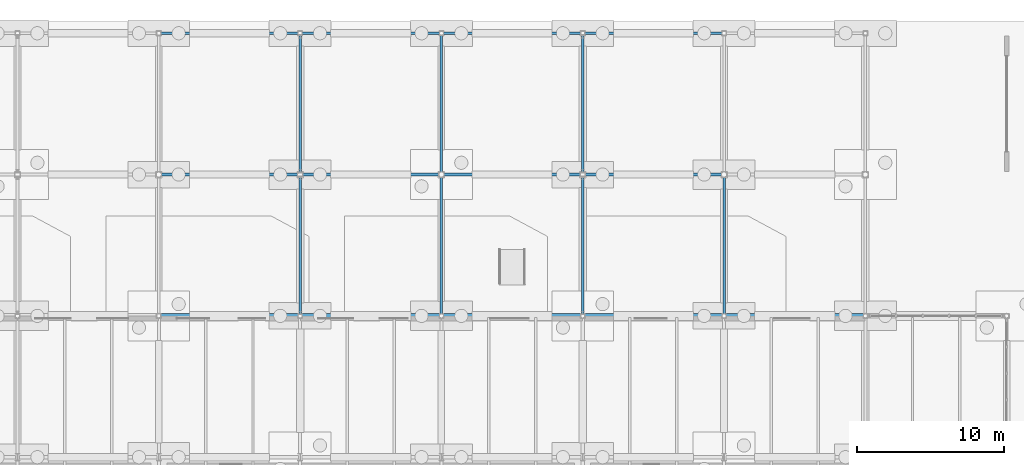
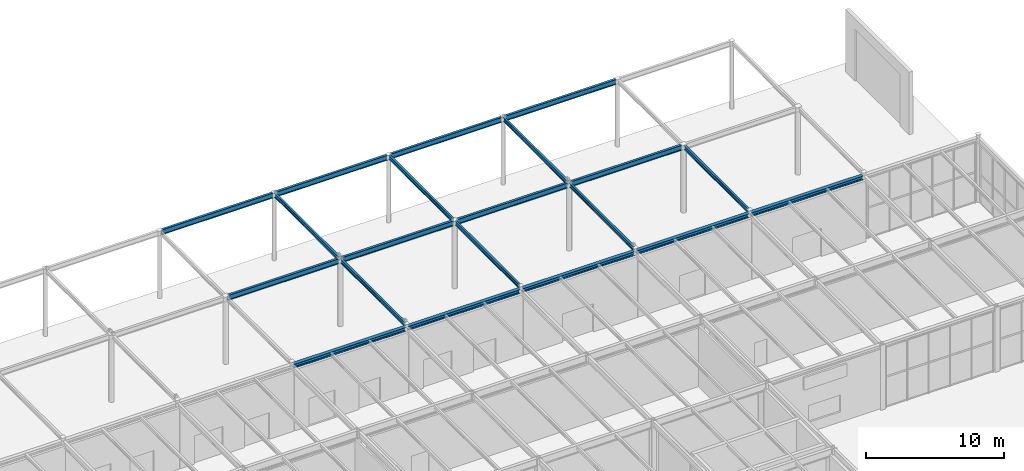
# One storey, part 99 of 142: 20 beams.
"""IFC4 building model written with IfcOpenShell, lengths in metres."""

from ifc_helpers import new_model, si_unit, direction, frame, origin, origin_2d, place, context, subcontext, project, spatial, i_section, extrude, material, material_profile, profile_set, type_object, element, save


model = new_model("IFC4")

# Units and contexts
model_context = context("Model", 3, precision=1e-05, world=origin(), true_north=direction((0.0, 1.0)))
body_context = subcontext(model_context, "Body", "Model", "MODEL_VIEW")
ifc_project = project(units=[si_unit("LENGTHUNIT", "METRE"), si_unit("AREAUNIT", "SQUARE_METRE"), si_unit("VOLUMEUNIT", "CUBIC_METRE"), si_unit("PLANEANGLEUNIT", "RADIAN"), si_unit("MASSUNIT", "GRAM", prefix="KILO")], contexts=[model_context])

# Site, building, storey
site_placement = place(None, origin())
site = spatial("IfcSite", under=ifc_project, at=site_placement, CompositionType="ELEMENT")
building_placement = place(site_placement, origin())
building = spatial("IfcBuilding", under=site, at=building_placement, Name="Coralgate Yard Interchange", CompositionType="ELEMENT")
storey_placement = place(building_placement, origin())
storey = spatial("IfcBuildingStorey", under=building, at=storey_placement, Name="L00", CompositionType="ELEMENT", Elevation=0.0)

# Beams
ifc_material = material(Name="Structural steel S355J2", Category="steel")
ifc_material_profile_1 = material_profile(ifc_material, i_section(OverallWidth=0.1904296875, OverallDepth=0.45703125, WebThickness=0.009033203125, FlangeThickness=0.014404296875, FilletRadius=0.01025390625, at=origin_2d()), Name="UB 457x191x74")
ifc_profile_set_1 = profile_set([ifc_material_profile_1], Name="Structural steel S355J2")
beam_type_1 = type_object("IfcBeamType", Name="BM-SB-2", PredefinedType="BEAM", material=ifc_profile_set_1)
beam_1_placement = place(storey_placement, frame((124.919921875, 105.60009765625, 5.771484375), z_axis=(1.0, 0.0, 0.0), x_axis=(0.0, 1.0, 0.0)))
element("IfcBeam", 1, at=beam_1_placement, inside=storey, type_object=beam_type_1, Name="Wave-canopy valley support girder Y11-X13", PredefinedType="BEAM", context=body_context, shape_type="SweptSolid", body=[
    extrude(i_section(OverallWidth=0.1904296875, OverallDepth=0.45703125, WebThickness=0.009033203125, FlangeThickness=0.014404296875, FilletRadius=0.01025390625, at=origin_2d()), origin(), (0.0, 0.0, 1.0), 9.360107421875),
])
for number, where, z_axis, x_axis, name in (
    (2, (134.52001953125, 105.60009765625, 5.771484375), (1.0, 0.0, 0.0), (0.0, 1.0, 0.0), "Wave-canopy valley support girder Y11-X14"),
    (3, (144.1201171875, 105.60009765625, 5.771484375), (1.0, 0.0, 0.0), (0.0, 1.0, 0.0), "Wave-canopy valley support girder Y11-X15"),
):
    element("IfcBeam", number, at=place(storey_placement, frame(where, z_axis=z_axis, x_axis=x_axis)), inside=storey, type_object=beam_type_1, Name=name, PredefinedType="BEAM", context=body_context, shape_type="SweptSolid", body=[
        extrude(i_section(OverallWidth=0.1904296875, OverallDepth=0.45703125, WebThickness=0.009033203125, FlangeThickness=0.014404296875, FilletRadius=0.01025390625, at=origin_2d()), origin(), (0.0, 0.0, 1.0), 9.35986328125),
    ])
for number, where, z_axis, x_axis, name in (
    (4, (153.719970703125, 105.60009765625, 5.771484375), (1.0, 0.0, 0.0), (0.0, 1.0, 0.0), "Wave-canopy valley support girder Y11-X16"),
    (5, (124.919921875, 115.199951171875, 5.771484375), (1.0, 0.0, 0.0), (0.0, 1.0, 0.0), "Wave-canopy valley support girder Y12-X13"),
):
    element("IfcBeam", number, at=place(storey_placement, frame(where, z_axis=z_axis, x_axis=x_axis)), inside=storey, type_object=beam_type_1, Name=name, PredefinedType="BEAM", context=body_context, shape_type="SweptSolid", body=[
        extrude(i_section(OverallWidth=0.1904296875, OverallDepth=0.45703125, WebThickness=0.009033203125, FlangeThickness=0.014404296875, FilletRadius=0.01025390625, at=origin_2d()), origin(), (0.0, 0.0, 1.0), 9.360107421875),
    ])
for number, where, z_axis, x_axis, name in (
    (6, (134.52001953125, 115.199951171875, 5.771484375), (1.0, 0.0, 0.0), (0.0, 1.0, 0.0), "Wave-canopy valley support girder Y12-X14"),
    (7, (144.1201171875, 115.199951171875, 5.771484375), (1.0, 0.0, 0.0), (0.0, 1.0, 0.0), "Wave-canopy valley support girder Y12-X15"),
):
    element("IfcBeam", number, at=place(storey_placement, frame(where, z_axis=z_axis, x_axis=x_axis)), inside=storey, type_object=beam_type_1, Name=name, PredefinedType="BEAM", context=body_context, shape_type="SweptSolid", body=[
        extrude(i_section(OverallWidth=0.1904296875, OverallDepth=0.45703125, WebThickness=0.009033203125, FlangeThickness=0.014404296875, FilletRadius=0.01025390625, at=origin_2d()), origin(), (0.0, 0.0, 1.0), 9.35986328125),
    ])
beam_2_placement = place(storey_placement, frame((153.719970703125, 115.199951171875, 5.771484375), z_axis=(1.0, 0.0, 0.0), x_axis=(0.0, 1.0, 0.0)))
element("IfcBeam", 8, at=beam_2_placement, inside=storey, type_object=beam_type_1, Name="Wave-canopy valley support girder Y12-X16", PredefinedType="BEAM", context=body_context, shape_type="SweptSolid", body=[
    extrude(i_section(OverallWidth=0.1904296875, OverallDepth=0.45703125, WebThickness=0.009033203125, FlangeThickness=0.014404296875, FilletRadius=0.01025390625, at=origin_2d()), origin(), (0.0, 0.0, 1.0), 9.360107421875),
])
ifc_material_profile_2 = material_profile(ifc_material, i_section(OverallWidth=0.17138671875, OverallDepth=0.35498046875, WebThickness=0.00732421875, FlangeThickness=0.011474609375, FilletRadius=0.01025390625, at=origin_2d()), Name="UB 356x171x51")
ifc_profile_set_2 = profile_set([ifc_material_profile_2], Name="Structural steel S355J2")
beam_type_2 = type_object("IfcBeamType", Name="BM-SB-4", PredefinedType="BEAM", material=ifc_profile_set_2)
for number, where, z_axis, x_axis, name in (
    (9, (134.39990234375, 96.139892578125, 5.822509765625), (0.0, 1.0, 0.0), (-1.0, 0.0, 0.0), "Wave-canopy transverse girder X14-Y10"),
    (10, (134.39990234375, 105.739990234375, 5.822509765625), (0.0, 1.0, 0.0), (-1.0, 0.0, 0.0), "Wave-canopy transverse girder X14-Y11"),
    (11, (144.0, 96.139892578125, 5.822509765625), (0.0, 1.0, 0.0), (-1.0, 0.0, 0.0), "Wave-canopy transverse girder X15-Y10"),
    (12, (144.0, 105.739990234375, 5.822509765625), (0.0, 1.0, 0.0), (-1.0, 0.0, 0.0), "Wave-canopy transverse girder X15-Y11"),
    (13, (153.60009765625, 96.139892578125, 5.822509765625), (0.0, 1.0, 0.0), (-1.0, 0.0, 0.0), "Wave-canopy transverse girder X16-Y10"),
    (14, (153.60009765625, 105.739990234375, 5.822509765625), (0.0, 1.0, 0.0), (-1.0, 0.0, 0.0), "Wave-canopy transverse girder X16-Y11"),
    (15, (163.199951171875, 96.139892578125, 5.822509765625), (0.0, 1.0, 0.0), (-1.0, 0.0, 0.0), "Wave-canopy transverse girder X17-Y10"),
):
    element("IfcBeam", number, at=place(storey_placement, frame(where, z_axis=z_axis, x_axis=x_axis)), inside=storey, type_object=beam_type_2, Name=name, PredefinedType="BEAM", context=body_context, shape_type="SweptSolid", body=[
        extrude(i_section(OverallWidth=0.17138671875, OverallDepth=0.35498046875, WebThickness=0.00732421875, FlangeThickness=0.011474609375, FilletRadius=0.01025390625, at=origin_2d()), origin(), (0.0, 0.0, 1.0), 9.320068359375),
    ])
ifc_material_profile_3 = material_profile(ifc_material, i_section(OverallWidth=0.300048828125, OverallDepth=0.35009765625, WebThickness=0.010009765625, FlangeThickness=0.017578125, FilletRadius=0.027099609375, at=origin_2d()), Name="HEA 360")
ifc_profile_set_3 = profile_set([ifc_material_profile_3], Name="Structural steel S355J2")
beam_type_3 = type_object("IfcBeamType", Name="BM-SP-1", PredefinedType="SPANDREL", material=ifc_profile_set_3)
for number, where, z_axis, x_axis, name in (
    (16, (124.931884765625, 96.0, 5.574951171875), (1.0, 0.0, 0.0), (0.0, 1.0, 0.0), "L00 primary grid beam Y10 X13-14"),
    (17, (134.531982421875, 96.0, 5.574951171875), (1.0, 0.0, 0.0), (0.0, 1.0, 0.0), "L00 primary grid beam Y10 X14-15"),
    (18, (144.1318359375, 96.0, 5.574951171875), (1.0, 0.0, 0.0), (0.0, 1.0, 0.0), "L00 primary grid beam Y10 X15-16"),
    (19, (153.73193359375, 96.0, 5.574951171875), (1.0, 0.0, 0.0), (0.0, 1.0, 0.0), "L00 primary grid beam Y10 X16-17"),
    (20, (163.331787109375, 96.0, 5.574951171875), (1.0, 0.0, 0.0), (0.0, 1.0, 0.0), "L00 primary grid beam Y10 X17-18"),
):
    element("IfcBeam", number, at=place(storey_placement, frame(where, z_axis=z_axis, x_axis=x_axis)), inside=storey, type_object=beam_type_3, Name=name, PredefinedType="SPANDREL", context=body_context, shape_type="SweptSolid", body=[
        extrude(i_section(OverallWidth=0.300048828125, OverallDepth=0.35009765625, WebThickness=0.010009765625, FlangeThickness=0.017578125, FilletRadius=0.027099609375, at=origin_2d()), origin(), (0.0, 0.0, 1.0), 9.336181640625),
    ])

save(model, "model.ifc")
